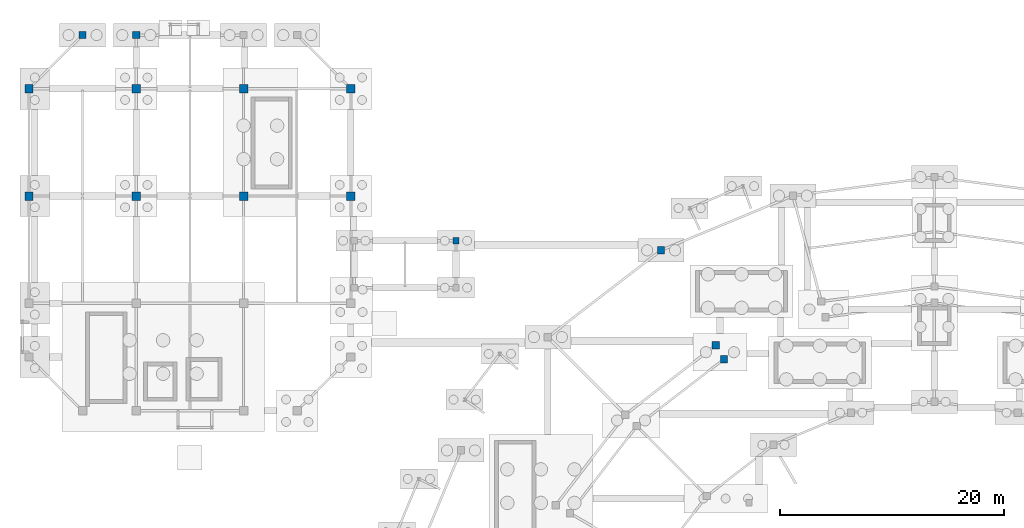
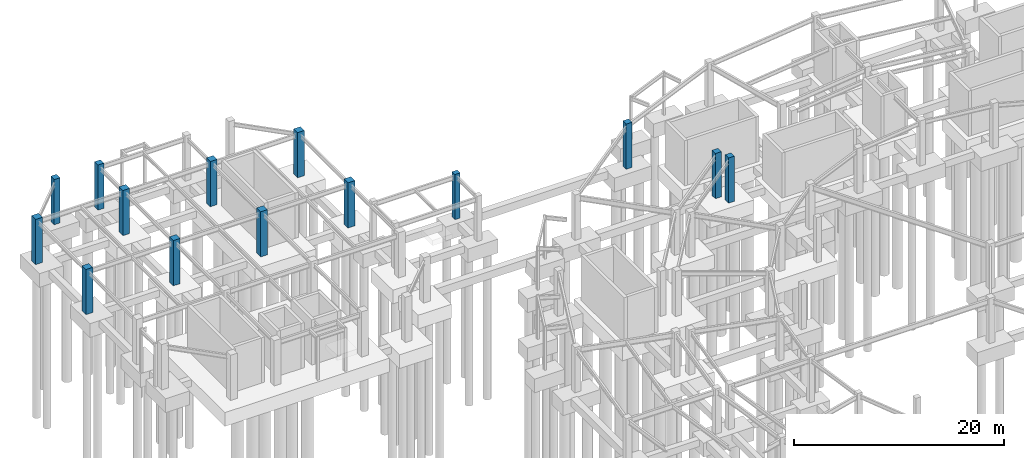
# One storey, part 22 of 55: 14 columns.
"""IFC4 building model written with IfcOpenShell, lengths in metres."""

import ifcopenshell
import ifcopenshell.guid

model = None  # the IFC model being written
_history = None  # IfcOwnerHistory: only IFC2X3 demands one
_inside = {}  # id of a spatial element -> (the spatial element, [elements in it])
_under = {}  # id of a project, library or spatial element -> (it, [spatial elements below it])
_declared = {}  # id of a project -> (the project, [libraries it declares])
_typed = {}  # id of a type object -> (the type object, [elements of that type])
_made_of = {}  # id of a material, layer set ... -> (it, [elements and type objects made of it])


def new_model(schema):
    """Start an empty IFC model of exactly this schema.

    Asked for "IFC4X3", IfcOpenShell would pick the latest addendum, in which some entities
    have other attributes; the version numbers below select the first issue.
    IFC2X3 requires an IfcOwnerHistory on every rooted entity: one is made here for all.
    """
    global model, _history
    if schema == "IFC4X3":
        model = ifcopenshell.file(schema_version=(4, 3, 0, 0))
    else:
        model = ifcopenshell.file(schema=schema)
    _inside.clear()
    _under.clear()
    _declared.clear()
    _typed.clear()
    _made_of.clear()
    _history = None
    if model.schema == "IFC2X3":
        org = make("IfcOrganization", Name="unknown")
        user = make(
            "IfcPersonAndOrganization",
            ThePerson=make("IfcPerson", FamilyName="unknown"),
            TheOrganization=org,
        )
        app = make(
            "IfcApplication",
            ApplicationDeveloper=org,
            Version="unknown",
            ApplicationFullName="unknown",
            ApplicationIdentifier="unknown",
        )
        _history = make(
            "IfcOwnerHistory",
            OwningUser=user,
            OwningApplication=app,
            ChangeAction="ADDED",
            CreationDate=0,
        )
    return model


def make(cls, **values):
    """One entity of the class cls with the attributes given. An attribute that is None is left unset."""
    return model.create_entity(
        cls, **{name: value for name, value in values.items() if value is not None}
    )


def rooted(cls, **values):
    """An entity with a GlobalId (a new one), such as an element, a storey or a relation."""
    return make(cls, GlobalId=ifcopenshell.guid.new(), OwnerHistory=_history, **values)


def si_unit(unit_type, name, prefix=None):
    """IfcSIUnit, for example si_unit("LENGTHUNIT", "METRE", prefix="MILLI")."""
    return make("IfcSIUnit", UnitType=unit_type, Prefix=prefix, Name=name)


def assignment(units):
    """IfcUnitAssignment: the units of a project."""
    return None if units is None else make("IfcUnitAssignment", Units=units)


def point(xyz):
    """IfcCartesianPoint."""
    return None if xyz is None else make("IfcCartesianPoint", Coordinates=xyz)


def direction(xyz):
    """IfcDirection."""
    return None if xyz is None else make("IfcDirection", DirectionRatios=xyz)


def frame(location, z_axis=None, x_axis=None):
    """IfcAxis2Placement3D, a coordinate frame: its origin and axes. An axis left out is left unset."""
    return make(
        "IfcAxis2Placement3D",
        Location=point(location),
        Axis=direction(z_axis),
        RefDirection=direction(x_axis),
    )


def frame_2d(location, x_axis=None):
    """IfcAxis2Placement2D, a coordinate frame in the plane: its origin and x axis."""
    return make(
        "IfcAxis2Placement2D", Location=point(location), RefDirection=direction(x_axis)
    )


def origin():
    """The frame at (0, 0, 0) with its axes left unset."""
    return frame((0.0, 0.0, 0.0))


def origin_2d():
    """The frame at (0, 0) in the plane with its x axis left unset."""
    return frame_2d((0.0, 0.0))


def place(relative_to, where):
    """IfcLocalPlacement: puts the frame where relative to a parent placement (None: the world)."""
    return make(
        "IfcLocalPlacement", PlacementRelTo=relative_to, RelativePlacement=where
    )


def context(
    kind, dimensions, precision=None, world=None, true_north=None, identifier=None
):
    """IfcGeometricRepresentationContext, for example the 3D "Model" context."""
    return make(
        "IfcGeometricRepresentationContext",
        ContextIdentifier=identifier,
        ContextType=kind,
        CoordinateSpaceDimension=dimensions,
        Precision=precision,
        WorldCoordinateSystem=world,
        TrueNorth=true_north,
    )


def subcontext(parent, identifier, kind, view, scale=None):
    """IfcGeometricRepresentationSubContext, for example "Body" below "Model"."""
    return make(
        "IfcGeometricRepresentationSubContext",
        ContextIdentifier=identifier,
        ContextType=kind,
        ParentContext=parent,
        TargetScale=scale,
        TargetView=view,
    )


def project(units=None, contexts=None):
    """IfcProject with its units and contexts."""
    return rooted(
        "IfcProject",
        Name="project",
        RepresentationContexts=contexts,
        UnitsInContext=assignment(units),
    )


def spatial(cls, under=None, at=None, **own):
    """A site, building, storey or space (cls), placed at a placement, below another one or the project."""
    s = rooted(cls, ObjectPlacement=at, **own)
    if under is not None:
        _under.setdefault(under.id(), (under, []))[1].append(s)
    return s


def profile(cls, at=None, kind="AREA", **sizes):
    """A parametric profile (cls). Its sizes go by their IFC names, for example OverallWidth=200.0."""
    return make(cls, ProfileType=kind, Position=at, **sizes)


def rectangle(**sizes):
    """IfcRectangleProfileDef."""
    return profile("IfcRectangleProfileDef", **sizes)


def extrude(swept, where, along, depth):
    """IfcExtrudedAreaSolid: the profile swept, set in the frame where, extruded along a direction by depth."""
    return make(
        "IfcExtrudedAreaSolid",
        SweptArea=swept,
        Position=where,
        ExtrudedDirection=direction(along),
        Depth=depth,
    )


def shape(context_of_items, identifier, shape_type, items):
    """IfcShapeRepresentation: the items that make up one representation, for example the "Body"."""
    return make(
        "IfcShapeRepresentation",
        ContextOfItems=context_of_items,
        RepresentationIdentifier=identifier,
        RepresentationType=shape_type,
        Items=items,
    )


def material(Name=None, Category=None):
    """IfcMaterial."""
    return make("IfcMaterial", Name=Name, Category=Category)


def material_profile(
    of_material, cross_section, Name=None, Category=None, Priority=None
):
    """IfcMaterialProfile: a cross section and its material."""
    return make(
        "IfcMaterialProfile",
        Name=Name,
        Material=of_material,
        Profile=cross_section,
        Priority=Priority,
        Category=Category,
    )


def profile_set(profiles, Name=None, composite=None):
    """IfcMaterialProfileSet."""
    return make(
        "IfcMaterialProfileSet",
        Name=Name,
        MaterialProfiles=profiles,
        CompositeProfile=composite,
    )


def made_of(thing, what):
    """Note that an element or type object is made of a material, layer set ...; save() writes the relation."""
    if what is not None:
        _made_of.setdefault(what.id(), (what, []))[1].append(thing)
    return thing


def type_object(cls, material=None, **own):
    """A type object (cls), such as IfcWallType, which elements share."""
    return made_of(rooted(cls, **own), material)


def element(
    cls,
    number,
    at=None,
    inside=None,
    cuts=None,
    type_object=None,
    material=None,
    context=None,
    identifier="Body",
    shape_type=None,
    held_by="IfcProductDefinitionShape",
    body=None,
    shapes=None,
    **own,
):
    """One element of the class cls, such as IfcWall. Its Tag is "e" and its number.

    at: its placement. inside: the storey or other place that contains it. cuts: it is an
    opening in that element (IfcRelVoidsElement). A single representation is given by context,
    identifier, shape_type and body (its items); several are given by shapes. held_by: the class
    of the entity that holds the representations. save() writes the other relations.
    """
    e = rooted(cls, Tag="e%d" % number, ObjectPlacement=at, **own)
    if body is not None:
        shapes = [shape(context, identifier, shape_type, body)]
    if shapes is not None:
        e.Representation = make(held_by, Representations=shapes)
    if inside is not None:
        _inside.setdefault(inside.id(), (inside, []))[1].append(e)
    if cuts is not None:
        rooted(
            "IfcRelVoidsElement", RelatingBuildingElement=cuts, RelatedOpeningElement=e
        )
    if type_object is not None:
        _typed.setdefault(type_object.id(), (type_object, []))[1].append(e)
    return made_of(e, material)


def aggregate(whole, parts):
    """IfcRelAggregates: a whole, such as a stair, and the parts it consists of."""
    return rooted("IfcRelAggregates", RelatingObject=whole, RelatedObjects=parts)


def save(model, path):
    """Write the relations noted so far, then the file.

    IfcRelAggregates (storeys below a building ...), IfcRelContainedInSpatialStructure (elements
    in a storey), IfcRelDefinesByType, IfcRelAssociatesMaterial and IfcRelDeclares: one each for
    every whole, place, type object, material and project.
    """
    for whole, parts in _under.values():
        aggregate(whole, parts)
    for where, things in _inside.values():
        rooted(
            "IfcRelContainedInSpatialStructure",
            RelatedElements=things,
            RelatingStructure=where,
        )
    for kind, things in _typed.values():
        rooted("IfcRelDefinesByType", RelatedObjects=things, RelatingType=kind)
    for what, things in _made_of.values():
        rooted("IfcRelAssociatesMaterial", RelatedObjects=things, RelatingMaterial=what)
    for by, libraries in _declared.values():
        rooted("IfcRelDeclares", RelatingContext=by, RelatedDefinitions=libraries)
    model.write(path)


model = new_model("IFC4")

# Units and contexts
model_context = context("Model", 3, precision=1e-05, world=origin(), true_north=direction((0.0, 1.0)))
body_context = subcontext(model_context, "Body", "Model", "MODEL_VIEW")
ifc_project = project(units=[si_unit("LENGTHUNIT", "METRE"), si_unit("AREAUNIT", "SQUARE_METRE"), si_unit("VOLUMEUNIT", "CUBIC_METRE"), si_unit("PLANEANGLEUNIT", "RADIAN"), si_unit("MASSUNIT", "GRAM", prefix="KILO")], contexts=[model_context])

# Site, building, storey
site_placement = place(None, origin())
site = spatial("IfcSite", under=ifc_project, at=site_placement, CompositionType="ELEMENT")
building_placement = place(site_placement, origin())
building = spatial("IfcBuilding", under=site, at=building_placement, Name="Almandine Court Research Institute", CompositionType="ELEMENT")
storey_placement = place(building_placement, frame((0.0, 0.0, -5.25)))
storey = spatial("IfcBuildingStorey", under=building, at=storey_placement, Name="B1", CompositionType="ELEMENT", Elevation=-5.25)

# Columns
ifc_material = material(Name="Concrete C40/50", Category="concrete")
ifc_material_profile_1 = material_profile(ifc_material, rectangle(XDim=0.75, YDim=0.75, at=origin_2d()), Name="RC 750x750")
ifc_profile_set_1 = profile_set([ifc_material_profile_1], Name="Concrete C40/50")
column_type_1 = type_object("IfcColumnType", Name="Col-C-RC1", PredefinedType="COLUMN", material=ifc_profile_set_1)
for number, where, z_axis, x_axis, name in (
    (1, (6.0, 103.199951171875, 0.0), (0.0, 0.0, 1.0), (1.0, 0.0, 0.0), "B1 V3 Column V3-X1Y3"),
    (2, (6.0, 112.800048828125, 0.0), (0.0, 0.0, 1.0), (1.0, 0.0, 0.0), "B1 V3 Column V3-X1Y4"),
    (3, (15.60009765625, 103.199951171875, 0.0), (0.0, 0.0, 1.0), (1.0, 0.0, 0.0), "B1 V3 Column V3-X2Y3"),
    (4, (15.60009765625, 112.800048828125, 0.0), (0.0, 0.0, 1.0), (1.0, 0.0, 0.0), "B1 V3 Column V3-X2Y4"),
    (5, (25.199951171875, 103.199951171875, 0.0), (0.0, 0.0, 1.0), (1.0, 0.0, 0.0), "B1 V3 Column V3-X3Y3"),
    (6, (25.199951171875, 112.800048828125, 0.0), (0.0, 0.0, 1.0), (1.0, 0.0, 0.0), "B1 V3 Column V3-X3Y4"),
    (7, (34.800048828125, 103.199951171875, 0.0), (0.0, 0.0, 1.0), (1.0, 0.0, 0.0), "B1 V3 Column V3-X4Y3"),
    (8, (34.800048828125, 112.800048828125, 0.0), (0.0, 0.0, 1.0), (1.0, 0.0, 0.0), "B1 V3 Column V3-X4Y4"),
):
    element("IfcColumn", number, at=place(storey_placement, frame(where, z_axis=z_axis, x_axis=x_axis)), inside=storey, type_object=column_type_1, Name=name, PredefinedType="COLUMN", context=body_context, shape_type="SweptSolid", body=[
        extrude(rectangle(XDim=0.75, YDim=0.75, at=origin_2d()), origin(), (0.0, 0.0, 1.0), 5.25),
    ])
ifc_material_profile_2 = material_profile(ifc_material, rectangle(XDim=0.64990234375, YDim=0.64990234375, at=origin_2d()), Name="RC 650x650")
ifc_profile_set_2 = profile_set([ifc_material_profile_2], Name="Concrete C40/50")
column_type_2 = type_object("IfcColumnType", Name="Col-C-RC2", PredefinedType="COLUMN", material=ifc_profile_set_2)
for number, where, z_axis, x_axis, name in (
    (9, (15.60009765625, 117.60009765625, 0.0), (0.0, 0.0, 1.0), (1.0, 0.0, 0.0), "B1 V3 Column V3-X2Y5"),
    (10, (10.800048828125, 117.60009765625, 0.0), (0.0, 0.0, 1.0), (1.0, 0.0, 0.0), "B1 V3 Column V3-CH6"),
    (11, (67.449951171875, 89.862060546875, 0.0), (0.0, 0.0, 1.0), (1.0, 0.0, 0.0), "B1 V5 Column V5-IN-S08"),
    (12, (62.550048828125, 98.34912109375, 0.0), (0.0, 0.0, 1.0), (1.0, 0.0, 0.0), "B1 V5 Column V5-OUT-S08"),
    (13, (68.175048828125, 88.60595703125, 0.0), (0.0, 0.0, 1.0), (1.0, 0.0, 0.0), "B1 V2 Column V2-OUT-S08"),
):
    element("IfcColumn", number, at=place(storey_placement, frame(where, z_axis=z_axis, x_axis=x_axis)), inside=storey, type_object=column_type_2, Name=name, PredefinedType="COLUMN", context=body_context, shape_type="SweptSolid", body=[
        extrude(rectangle(XDim=0.64990234375, YDim=0.64990234375, at=origin_2d()), origin(), (0.0, 0.0, 1.0), 5.25),
    ])
ifc_material_profile_3 = material_profile(ifc_material, rectangle(XDim=0.550048828125, YDim=0.550048828125, at=origin_2d()), Name="RC 550x550")
ifc_profile_set_3 = profile_set([ifc_material_profile_3], Name="Concrete C40/50")
column_type_3 = type_object("IfcColumnType", Name="Col-C-RC3", PredefinedType="COLUMN", material=ifc_profile_set_3)
column_placement = place(storey_placement, frame((44.199951171875, 99.199951171875, 0.0), z_axis=(0.0, 0.0, 1.0), x_axis=(1.0, 0.0, 0.0)))
element("IfcColumn", 14, at=column_placement, inside=storey, type_object=column_type_3, Name="B1 DAL-NW Column DAL-NW-X2Y2", PredefinedType="COLUMN", context=body_context, shape_type="SweptSolid", body=[
    extrude(rectangle(XDim=0.550048828125, YDim=0.550048828125, at=origin_2d()), origin(), (0.0, 0.0, 1.0), 5.25),
])

save(model, "model.ifc")
